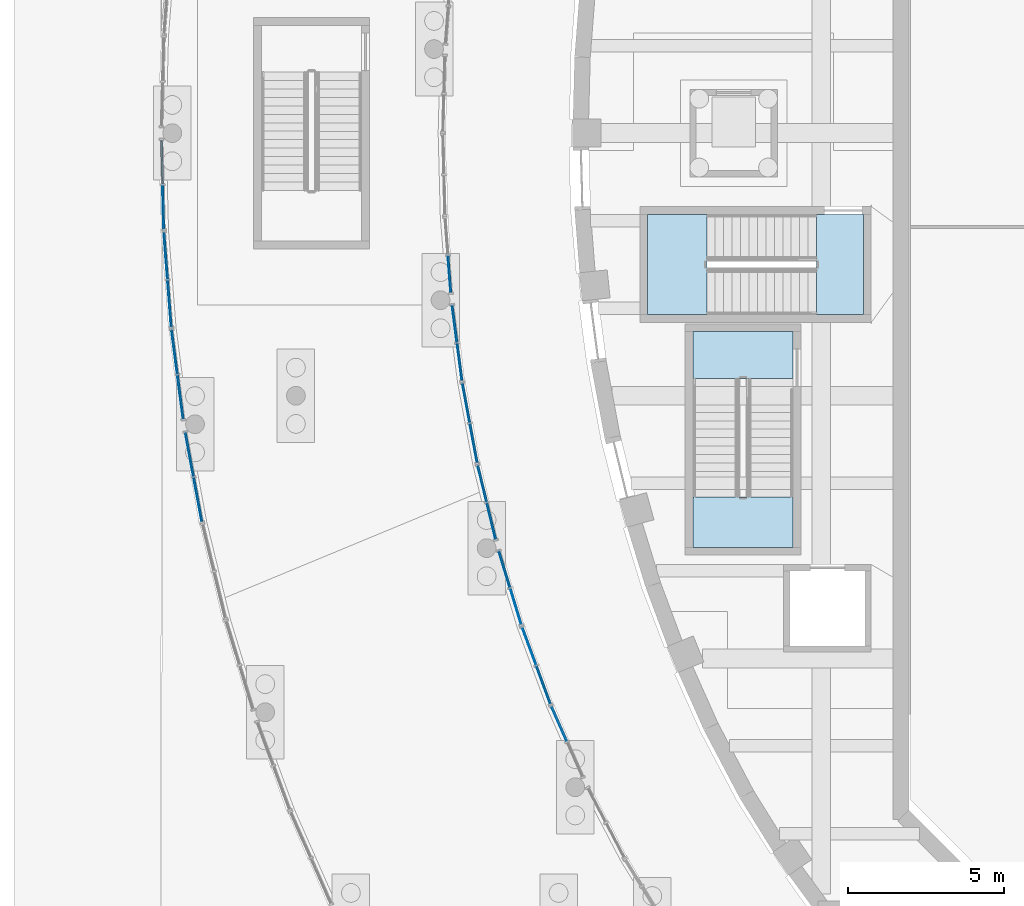
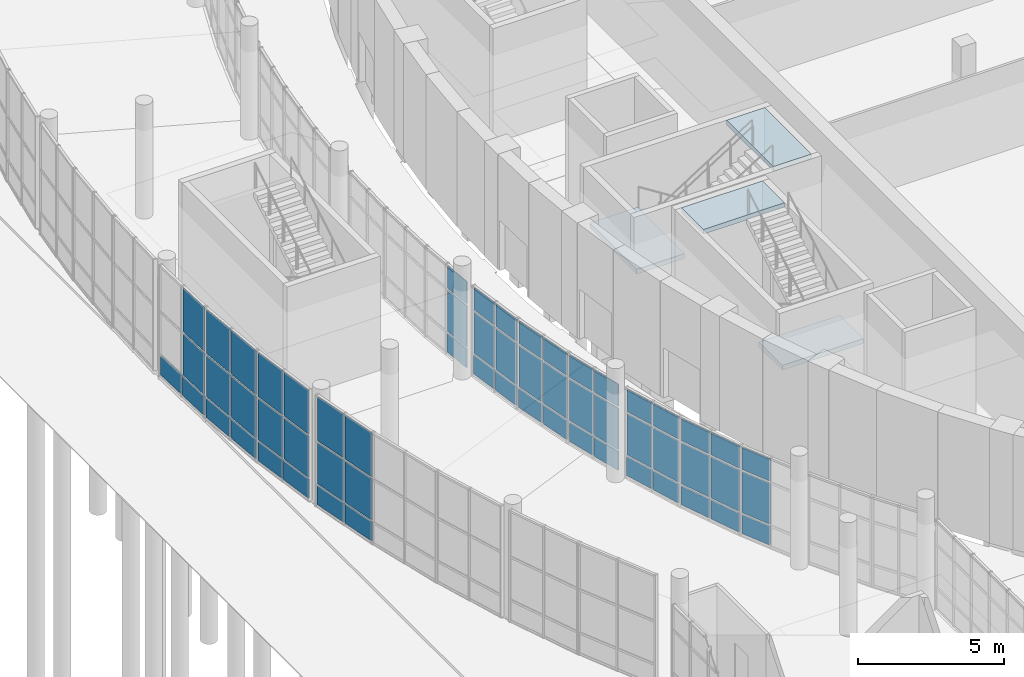
# One storey, part 43 of 110: 58 plates, 4 slabs, 13 elements without a shape of their own.
"""IFC4 building model written with IfcOpenShell, lengths in metres."""

from ifc_helpers import new_model, si_unit, direction, frame, origin, origin_2d, place, context, subcontext, project, spatial, polyline, rectangle, outline, extrude, material, layer, layer_set, type_object, element, aggregate, save


model = new_model("IFC4")

# Units and contexts
model_context = context("Model", 3, precision=1e-05, world=origin(), true_north=direction((0.0, 1.0)))
body_context = subcontext(model_context, "Body", "Model", "MODEL_VIEW")
ifc_project = project(units=[si_unit("LENGTHUNIT", "METRE"), si_unit("AREAUNIT", "SQUARE_METRE"), si_unit("VOLUMEUNIT", "CUBIC_METRE"), si_unit("PLANEANGLEUNIT", "RADIAN"), si_unit("MASSUNIT", "GRAM", prefix="KILO")], contexts=[model_context])

# Site, building, storey
site_placement = place(None, origin())
site = spatial("IfcSite", under=ifc_project, at=site_placement, CompositionType="ELEMENT")
building_placement = place(site_placement, origin())
building = spatial("IfcBuilding", under=site, at=building_placement, Name="Larchfold Concert Hall", CompositionType="ELEMENT")
storey_placement = place(building_placement, origin())
storey = spatial("IfcBuildingStorey", under=building, at=storey_placement, Name="L00", CompositionType="ELEMENT", Elevation=0.0)

# Curtain wall, plates
ifc_material_1 = material(Name="Anodised graphite aluminium curtain wall", Category="aluminium")
ifc_layer_1 = layer(ifc_material_1, 0.14990234375)
ifc_layer_set_1 = layer_set([ifc_layer_1], Name="Anodised graphite aluminium curtain wall")
curtain_wall_type = type_object("IfcCurtainWallType", Name="Curtain wall WG", PredefinedType="NOTDEFINED", material=ifc_layer_set_1)
curtain_wall_1_placement = place(storey_placement, origin())
curtain_wall_1 = element("IfcCurtainWall", 1, at=curtain_wall_1_placement, inside=storey, type_object=curtain_wall_type, Name="Curtain wall CW0063", PredefinedType="NOTDEFINED")
ifc_material_2 = material(Name="Insulated glazing unit, glass", Category="glass")
ifc_layer_2 = layer(ifc_material_2, 0.028076171875)
ifc_layer_set_2 = layer_set([ifc_layer_2], Name="Insulated glazing unit, glass")
plate_type_1 = type_object("IfcPlateType", Name="Glass panel 28", PredefinedType="CURTAIN_PANEL", material=ifc_layer_set_2)
plate_1_placement = place(storey_placement, frame((17.420166015625, 65.706298828125, 0.93994140625), z_axis=(0.0, 0.0, 1.0), x_axis=(-0.40402618995, 0.914747417506, 0.0)))
plate_1 = element("IfcPlate", 2, at=plate_1_placement, type_object=plate_type_1, Name="CW0063 panel 2.2", PredefinedType="CURTAIN_PANEL", context=body_context, shape_type="SweptSolid", body=[
    extrude(rectangle(XDim=1.186767578125, YDim=0.028076171875, at=origin_2d()), origin(), (0.0, 0.0, 1.0), 1.719970703125),
])
plate_2_placement = place(storey_placement, frame((17.420166015625, 65.706298828125, 2.740234375), z_axis=(0.0, 0.0, 1.0), x_axis=(-0.40402618995, 0.914747417506, 0.0)))
plate_2 = element("IfcPlate", 3, at=plate_2_placement, type_object=plate_type_1, Name="CW0063 panel 2.3", PredefinedType="CURTAIN_PANEL", context=body_context, shape_type="SweptSolid", body=[
    extrude(rectangle(XDim=1.186767578125, YDim=0.028076171875, at=origin_2d()), origin(), (0.0, 0.0, 1.0), 0.929931640625),
])

curtain_wall_2_placement = place(storey_placement, origin())
curtain_wall_2 = element("IfcCurtainWall", 4, at=curtain_wall_2_placement, inside=storey, type_object=curtain_wall_type, Name="Curtain wall CW0064", PredefinedType="NOTDEFINED")
plate_3_placement = place(storey_placement, frame((16.9169921875, 66.951171875, 0.93994140625), z_axis=(0.0, 0.0, 1.0), x_axis=(-0.346631119, 0.938001528432, 0.0)))
plate_3 = element("IfcPlate", 5, at=plate_3_placement, type_object=plate_type_1, Name="CW0064 panel 1.2", PredefinedType="CURTAIN_PANEL", context=body_context, shape_type="SweptSolid", body=[
    extrude(rectangle(XDim=1.26025390625, YDim=0.028076171875, at=origin_2d()), origin(), (0.0, 0.0, 1.0), 1.719970703125),
])
plate_4_placement = place(storey_placement, frame((16.9169921875, 66.951171875, 2.740234375), z_axis=(0.0, 0.0, 1.0), x_axis=(-0.346631119, 0.938001528432, 0.0)))
plate_4 = element("IfcPlate", 6, at=plate_4_placement, type_object=plate_type_1, Name="CW0064 panel 1.3", PredefinedType="CURTAIN_PANEL", context=body_context, shape_type="SweptSolid", body=[
    extrude(rectangle(XDim=1.26025390625, YDim=0.028076171875, at=origin_2d()), origin(), (0.0, 0.0, 1.0), 0.929931640625),
])
plate_5_placement = place(storey_placement, frame((16.45947265625, 68.189697265625, 0.93994140625), z_axis=(0.0, 0.0, 1.0), x_axis=(-0.346631119, 0.938001528432, 0.0)))
plate_5 = element("IfcPlate", 7, at=plate_5_placement, type_object=plate_type_1, Name="CW0064 panel 2.2", PredefinedType="CURTAIN_PANEL", context=body_context, shape_type="SweptSolid", body=[
    extrude(rectangle(XDim=1.26025390625, YDim=0.028076171875, at=origin_2d()), origin(), (0.0, 0.0, 1.0), 1.719970703125),
])
plate_6_placement = place(storey_placement, frame((16.45947265625, 68.189697265625, 2.740234375), z_axis=(0.0, 0.0, 1.0), x_axis=(-0.346631119, 0.938001528432, 0.0)))
plate_6 = element("IfcPlate", 8, at=plate_6_placement, type_object=plate_type_1, Name="CW0064 panel 2.3", PredefinedType="CURTAIN_PANEL", context=body_context, shape_type="SweptSolid", body=[
    extrude(rectangle(XDim=1.26025390625, YDim=0.028076171875, at=origin_2d()), origin(), (0.0, 0.0, 1.0), 0.929931640625),
])

curtain_wall_3_placement = place(storey_placement, origin())
curtain_wall_3 = element("IfcCurtainWall", 9, at=curtain_wall_3_placement, inside=storey, type_object=curtain_wall_type, Name="Curtain wall CW0065", PredefinedType="NOTDEFINED")
plate_7_placement = place(storey_placement, frame((16.03076171875, 69.461181640625, 0.93994140625), z_axis=(0.0, 0.0, 1.0), x_axis=(-0.290544233044, 0.956861561902, 0.0)))
plate_7 = element("IfcPlate", 10, at=plate_7_placement, type_object=plate_type_1, Name="CW0065 panel 1.2", PredefinedType="CURTAIN_PANEL", context=body_context, shape_type="SweptSolid", body=[
    extrude(rectangle(XDim=1.184814453125, YDim=0.028076171875, at=origin_2d()), origin(), (0.0, 0.0, 1.0), 1.719970703125),
])
plate_8_placement = place(storey_placement, frame((16.03076171875, 69.461181640625, 2.740234375), z_axis=(0.0, 0.0, 1.0), x_axis=(-0.290544233044, 0.956861561902, 0.0)))
plate_8 = element("IfcPlate", 11, at=plate_8_placement, type_object=plate_type_1, Name="CW0065 panel 1.3", PredefinedType="CURTAIN_PANEL", context=body_context, shape_type="SweptSolid", body=[
    extrude(rectangle(XDim=1.184814453125, YDim=0.028076171875, at=origin_2d()), origin(), (0.0, 0.0, 1.0), 0.929931640625),
])
plate_9_placement = place(storey_placement, frame((15.6689453125, 70.652099609375, 0.93994140625), z_axis=(0.0, 0.0, 1.0), x_axis=(-0.290544233044, 0.956861561902, 0.0)))
plate_9 = element("IfcPlate", 12, at=plate_9_placement, type_object=plate_type_1, Name="CW0065 panel 2.2", PredefinedType="CURTAIN_PANEL", context=body_context, shape_type="SweptSolid", body=[
    extrude(rectangle(XDim=1.184814453125, YDim=0.028076171875, at=origin_2d()), origin(), (0.0, 0.0, 1.0), 1.719970703125),
])
plate_10_placement = place(storey_placement, frame((15.6689453125, 70.652099609375, 2.740234375), z_axis=(0.0, 0.0, 1.0), x_axis=(-0.290544233044, 0.956861561902, 0.0)))
plate_10 = element("IfcPlate", 13, at=plate_10_placement, type_object=plate_type_1, Name="CW0065 panel 2.3", PredefinedType="CURTAIN_PANEL", context=body_context, shape_type="SweptSolid", body=[
    extrude(rectangle(XDim=1.184814453125, YDim=0.028076171875, at=origin_2d()), origin(), (0.0, 0.0, 1.0), 0.929931640625),
])

curtain_wall_4_placement = place(storey_placement, origin())
curtain_wall_4 = element("IfcCurtainWall", 14, at=curtain_wall_4_placement, inside=storey, type_object=curtain_wall_type, Name="Curtain wall CW0066", PredefinedType="NOTDEFINED")
plate_11_placement = place(storey_placement, frame((15.24951171875, 72.18994140625, 0.93994140625), z_axis=(0.0, 0.0, 1.0), x_axis=(-0.235946390347, 0.971766073128, 0.0)))
plate_11 = element("IfcPlate", 15, at=plate_11_placement, type_object=plate_type_1, Name="CW0066 panel 1.2", PredefinedType="CURTAIN_PANEL", context=body_context, shape_type="SweptSolid", body=[
    extrude(rectangle(XDim=1.1708984375, YDim=0.028076171875, at=origin_2d()), origin(), (0.0, 0.0, 1.0), 1.719970703125),
])
plate_12_placement = place(storey_placement, frame((15.24951171875, 72.18994140625, 2.740234375), z_axis=(0.0, 0.0, 1.0), x_axis=(-0.235946390347, 0.971766073128, 0.0)))
plate_12 = element("IfcPlate", 16, at=plate_12_placement, type_object=plate_type_1, Name="CW0066 panel 1.3", PredefinedType="CURTAIN_PANEL", context=body_context, shape_type="SweptSolid", body=[
    extrude(rectangle(XDim=1.1708984375, YDim=0.028076171875, at=origin_2d()), origin(), (0.0, 0.0, 1.0), 0.929931640625),
])
plate_13_placement = place(storey_placement, frame((14.959228515625, 73.385986328125, 0.93994140625), z_axis=(0.0, 0.0, 1.0), x_axis=(-0.235946390347, 0.971766073128, 0.0)))
plate_13 = element("IfcPlate", 17, at=plate_13_placement, type_object=plate_type_1, Name="CW0066 panel 2.2", PredefinedType="CURTAIN_PANEL", context=body_context, shape_type="SweptSolid", body=[
    extrude(rectangle(XDim=1.1708984375, YDim=0.028076171875, at=origin_2d()), origin(), (0.0, 0.0, 1.0), 1.719970703125),
])
plate_14_placement = place(storey_placement, frame((14.959228515625, 73.385986328125, 2.740234375), z_axis=(0.0, 0.0, 1.0), x_axis=(-0.235946390347, 0.971766073128, 0.0)))
plate_14 = element("IfcPlate", 18, at=plate_14_placement, type_object=plate_type_1, Name="CW0066 panel 2.3", PredefinedType="CURTAIN_PANEL", context=body_context, shape_type="SweptSolid", body=[
    extrude(rectangle(XDim=1.1708984375, YDim=0.028076171875, at=origin_2d()), origin(), (0.0, 0.0, 1.0), 0.929931640625),
])

curtain_wall_5_placement = place(storey_placement, origin())
curtain_wall_5 = element("IfcCurtainWall", 19, at=curtain_wall_5_placement, inside=storey, type_object=curtain_wall_type, Name="Curtain wall CW0067", PredefinedType="NOTDEFINED")
plate_15_placement = place(storey_placement, frame((14.682373046875, 74.6845703125, 0.93994140625), z_axis=(0.0, 0.0, 1.0), x_axis=(-0.182390289896, 0.983226211079, 0.0)))
plate_15 = element("IfcPlate", 20, at=plate_15_placement, type_object=plate_type_1, Name="CW0067 panel 1.2", PredefinedType="CURTAIN_PANEL", context=body_context, shape_type="SweptSolid", body=[
    extrude(rectangle(XDim=1.245849609375, YDim=0.028076171875, at=origin_2d()), origin(), (0.0, 0.0, 1.0), 1.719970703125),
])
plate_16_placement = place(storey_placement, frame((14.682373046875, 74.6845703125, 2.740234375), z_axis=(0.0, 0.0, 1.0), x_axis=(-0.182390289896, 0.983226211079, 0.0)))
plate_16 = element("IfcPlate", 21, at=plate_16_placement, type_object=plate_type_1, Name="CW0067 panel 1.3", PredefinedType="CURTAIN_PANEL", context=body_context, shape_type="SweptSolid", body=[
    extrude(rectangle(XDim=1.245849609375, YDim=0.028076171875, at=origin_2d()), origin(), (0.0, 0.0, 1.0), 0.929931640625),
])
plate_17_placement = place(storey_placement, frame((14.444091796875, 75.96875, 0.93994140625), z_axis=(0.0, 0.0, 1.0), x_axis=(-0.182390289896, 0.983226211079, 0.0)))
plate_17 = element("IfcPlate", 22, at=plate_17_placement, type_object=plate_type_1, Name="CW0067 panel 2.2", PredefinedType="CURTAIN_PANEL", context=body_context, shape_type="SweptSolid", body=[
    extrude(rectangle(XDim=1.245849609375, YDim=0.028076171875, at=origin_2d()), origin(), (0.0, 0.0, 1.0), 1.719970703125),
])
plate_18_placement = place(storey_placement, frame((14.444091796875, 75.96875, 2.740234375), z_axis=(0.0, 0.0, 1.0), x_axis=(-0.182390289896, 0.983226211079, 0.0)))
plate_18 = element("IfcPlate", 23, at=plate_18_placement, type_object=plate_type_1, Name="CW0067 panel 2.3", PredefinedType="CURTAIN_PANEL", context=body_context, shape_type="SweptSolid", body=[
    extrude(rectangle(XDim=1.245849609375, YDim=0.028076171875, at=origin_2d()), origin(), (0.0, 0.0, 1.0), 0.929931640625),
])

curtain_wall_6_placement = place(storey_placement, origin())
curtain_wall_6 = element("IfcCurtainWall", 24, at=curtain_wall_6_placement, inside=storey, type_object=curtain_wall_type, Name="Curtain wall CW0068", PredefinedType="NOTDEFINED")
plate_19_placement = place(storey_placement, frame((14.23583984375, 77.2802734375, 0.93994140625), z_axis=(0.0, 0.0, 1.0), x_axis=(-0.129678428289, 0.991556102919, 0.0)))
plate_19 = element("IfcPlate", 25, at=plate_19_placement, type_object=plate_type_1, Name="CW0068 panel 1.2", PredefinedType="CURTAIN_PANEL", context=body_context, shape_type="SweptSolid", body=[
    extrude(rectangle(XDim=1.17138671875, YDim=0.028076171875, at=origin_2d()), origin(), (0.0, 0.0, 1.0), 1.719970703125),
])
plate_20_placement = place(storey_placement, frame((14.23583984375, 77.2802734375, 2.740234375), z_axis=(0.0, 0.0, 1.0), x_axis=(-0.129678428289, 0.991556102919, 0.0)))
plate_20 = element("IfcPlate", 26, at=plate_20_placement, type_object=plate_type_1, Name="CW0068 panel 1.3", PredefinedType="CURTAIN_PANEL", context=body_context, shape_type="SweptSolid", body=[
    extrude(rectangle(XDim=1.17138671875, YDim=0.028076171875, at=origin_2d()), origin(), (0.0, 0.0, 1.0), 0.929931640625),
])
plate_21_placement = place(storey_placement, frame((14.076171875, 78.50146484375, 0.93994140625), z_axis=(0.0, 0.0, 1.0), x_axis=(-0.129678428289, 0.991556102919, 0.0)))
plate_21 = element("IfcPlate", 27, at=plate_21_placement, type_object=plate_type_1, Name="CW0068 panel 2.2", PredefinedType="CURTAIN_PANEL", context=body_context, shape_type="SweptSolid", body=[
    extrude(rectangle(XDim=1.17138671875, YDim=0.028076171875, at=origin_2d()), origin(), (0.0, 0.0, 1.0), 1.719970703125),
])
plate_22_placement = place(storey_placement, frame((14.076171875, 78.50146484375, 2.740234375), z_axis=(0.0, 0.0, 1.0), x_axis=(-0.129678428289, 0.991556102919, 0.0)))
plate_22 = element("IfcPlate", 28, at=plate_22_placement, type_object=plate_type_1, Name="CW0068 panel 2.3", PredefinedType="CURTAIN_PANEL", context=body_context, shape_type="SweptSolid", body=[
    extrude(rectangle(XDim=1.17138671875, YDim=0.028076171875, at=origin_2d()), origin(), (0.0, 0.0, 1.0), 0.929931640625),
])

curtain_wall_7_placement = place(storey_placement, origin())
curtain_wall_7 = element("IfcCurtainWall", 29, at=curtain_wall_7_placement, inside=storey, type_object=curtain_wall_type, Name="Curtain wall CW0069", PredefinedType="NOTDEFINED")
plate_23_placement = place(storey_placement, frame((13.91162109375, 80.085205078125, 0.93994140625), z_axis=(0.0, 0.0, 1.0), x_axis=(-0.077547900972, 0.996988627345, 0.0)))
plate_23 = element("IfcPlate", 30, at=plate_23_placement, type_object=plate_type_1, Name="CW0069 panel 1.2", PredefinedType="CURTAIN_PANEL", context=body_context, shape_type="SweptSolid", body=[
    extrude(rectangle(XDim=1.159912109375, YDim=0.028076171875, at=origin_2d()), origin(), (0.0, 0.0, 1.0), 1.719970703125),
])
plate_24_placement = place(storey_placement, frame((13.91162109375, 80.085205078125, 2.740234375), z_axis=(0.0, 0.0, 1.0), x_axis=(-0.077547900972, 0.996988627345, 0.0)))
plate_24 = element("IfcPlate", 31, at=plate_24_placement, type_object=plate_type_1, Name="CW0069 panel 1.3", PredefinedType="CURTAIN_PANEL", context=body_context, shape_type="SweptSolid", body=[
    extrude(rectangle(XDim=1.159912109375, YDim=0.028076171875, at=origin_2d()), origin(), (0.0, 0.0, 1.0), 0.929931640625),
])

curtain_wall_8_placement = place(storey_placement, origin())
curtain_wall_8 = element("IfcCurtainWall", 32, at=curtain_wall_8_placement, inside=storey, type_object=curtain_wall_type, Name="Curtain wall CW0119", PredefinedType="NOTDEFINED")
plate_25_placement = place(storey_placement, frame((4.7568359375, 82.22900390625, 0.93994140625), z_axis=(0.0, 0.0, 1.0), x_axis=(0.025820733125, -0.999666589289, 0.0)))
plate_25 = element("IfcPlate", 33, at=plate_25_placement, type_object=plate_type_1, Name="CW0119 panel 2.2", PredefinedType="CURTAIN_PANEL", context=body_context, shape_type="SweptSolid", body=[
    extrude(rectangle(XDim=1.3896484375, YDim=0.028076171875, at=origin_2d()), origin(), (0.0, 0.0, 1.0), 1.719970703125),
])
plate_26_placement = place(storey_placement, frame((4.7568359375, 82.22900390625, 2.740234375), z_axis=(0.0, 0.0, 1.0), x_axis=(0.025820733125, -0.999666589289, 0.0)))
plate_26 = element("IfcPlate", 34, at=plate_26_placement, type_object=plate_type_1, Name="CW0119 panel 2.3", PredefinedType="CURTAIN_PANEL", context=body_context, shape_type="SweptSolid", body=[
    extrude(rectangle(XDim=1.3896484375, YDim=0.028076171875, at=origin_2d()), origin(), (0.0, 0.0, 1.0), 1.829833984375),
])

curtain_wall_9_placement = place(storey_placement, origin())
curtain_wall_9 = element("IfcCurtainWall", 35, at=curtain_wall_9_placement, inside=storey, type_object=curtain_wall_type, Name="Curtain wall CW0120", PredefinedType="NOTDEFINED")
plate_27_placement = place(storey_placement, frame((4.838134765625, 80.678466796875, 0.93994140625), z_axis=(0.0, 0.0, 1.0), x_axis=(0.077465260739, -0.996995051833, 0.0)))
plate_27 = element("IfcPlate", 36, at=plate_27_placement, type_object=plate_type_1, Name="CW0120 panel 1.2", PredefinedType="CURTAIN_PANEL", context=body_context, shape_type="SweptSolid", body=[
    extrude(rectangle(XDim=1.476318359375, YDim=0.028076171875, at=origin_2d()), origin(), (0.0, 0.0, 1.0), 1.719970703125),
])
plate_28_placement = place(storey_placement, frame((4.838134765625, 80.678466796875, 2.740234375), z_axis=(0.0, 0.0, 1.0), x_axis=(0.077465260739, -0.996995051833, 0.0)))
plate_28 = element("IfcPlate", 37, at=plate_28_placement, type_object=plate_type_1, Name="CW0120 panel 1.3", PredefinedType="CURTAIN_PANEL", context=body_context, shape_type="SweptSolid", body=[
    extrude(rectangle(XDim=1.476318359375, YDim=0.028076171875, at=origin_2d()), origin(), (0.0, 0.0, 1.0), 1.829833984375),
])
plate_29_placement = place(storey_placement, frame((4.957275390625, 79.14697265625, 0.93994140625), z_axis=(0.0, 0.0, 1.0), x_axis=(0.077465260739, -0.996995051833, 0.0)))
plate_29 = element("IfcPlate", 38, at=plate_29_placement, type_object=plate_type_1, Name="CW0120 panel 2.2", PredefinedType="CURTAIN_PANEL", context=body_context, shape_type="SweptSolid", body=[
    extrude(rectangle(XDim=1.476318359375, YDim=0.028076171875, at=origin_2d()), origin(), (0.0, 0.0, 1.0), 1.719970703125),
])
plate_30_placement = place(storey_placement, frame((4.957275390625, 79.14697265625, 2.740234375), z_axis=(0.0, 0.0, 1.0), x_axis=(0.077465260739, -0.996995051833, 0.0)))
plate_30 = element("IfcPlate", 39, at=plate_30_placement, type_object=plate_type_1, Name="CW0120 panel 2.3", PredefinedType="CURTAIN_PANEL", context=body_context, shape_type="SweptSolid", body=[
    extrude(rectangle(XDim=1.476318359375, YDim=0.028076171875, at=origin_2d()), origin(), (0.0, 0.0, 1.0), 1.829833984375),
])

curtain_wall_10_placement = place(storey_placement, origin())
curtain_wall_10 = element("IfcCurtainWall", 40, at=curtain_wall_10_placement, inside=storey, type_object=curtain_wall_type, Name="Curtain wall CW0121", PredefinedType="NOTDEFINED")
plate_31_placement = place(storey_placement, frame((5.117431640625, 77.599365234375, 0.93994140625), z_axis=(0.0, 0.0, 1.0), x_axis=(0.129764014676, -0.99154490594, 0.0)))
plate_31 = element("IfcPlate", 41, at=plate_31_placement, type_object=plate_type_1, Name="CW0121 panel 1.2", PredefinedType="CURTAIN_PANEL", context=body_context, shape_type="SweptSolid", body=[
    extrude(rectangle(XDim=1.396240234375, YDim=0.028076171875, at=origin_2d()), origin(), (0.0, 0.0, 1.0), 1.719970703125),
])
plate_32_placement = place(storey_placement, frame((5.117431640625, 77.599365234375, 2.740234375), z_axis=(0.0, 0.0, 1.0), x_axis=(0.129764014676, -0.99154490594, 0.0)))
plate_32 = element("IfcPlate", 42, at=plate_32_placement, type_object=plate_type_1, Name="CW0121 panel 1.3", PredefinedType="CURTAIN_PANEL", context=body_context, shape_type="SweptSolid", body=[
    extrude(rectangle(XDim=1.396240234375, YDim=0.028076171875, at=origin_2d()), origin(), (0.0, 0.0, 1.0), 1.829833984375),
])
plate_33_placement = place(storey_placement, frame((5.306396484375, 76.1552734375, 0.93994140625), z_axis=(0.0, 0.0, 1.0), x_axis=(0.129764014676, -0.99154490594, 0.0)))
plate_33 = element("IfcPlate", 43, at=plate_33_placement, type_object=plate_type_1, Name="CW0121 panel 2.2", PredefinedType="CURTAIN_PANEL", context=body_context, shape_type="SweptSolid", body=[
    extrude(rectangle(XDim=1.396240234375, YDim=0.028076171875, at=origin_2d()), origin(), (0.0, 0.0, 1.0), 1.719970703125),
])
plate_34_placement = place(storey_placement, frame((5.306396484375, 76.1552734375, 2.740234375), z_axis=(0.0, 0.0, 1.0), x_axis=(0.129764014676, -0.99154490594, 0.0)))
plate_34 = element("IfcPlate", 44, at=plate_34_placement, type_object=plate_type_1, Name="CW0121 panel 2.3", PredefinedType="CURTAIN_PANEL", context=body_context, shape_type="SweptSolid", body=[
    extrude(rectangle(XDim=1.396240234375, YDim=0.028076171875, at=origin_2d()), origin(), (0.0, 0.0, 1.0), 1.829833984375),
])

curtain_wall_11_placement = place(storey_placement, origin())
curtain_wall_11 = element("IfcCurtainWall", 45, at=curtain_wall_11_placement, inside=storey, type_object=curtain_wall_type, Name="Curtain wall CW0122", PredefinedType="NOTDEFINED")
plate_35_placement = place(storey_placement, frame((5.59619140625, 74.321044921875, 0.93994140625), z_axis=(0.0, 0.0, 1.0), x_axis=(0.182366830535, -0.983230562544, 0.0)))
plate_35 = element("IfcPlate", 46, at=plate_35_placement, type_object=plate_type_1, Name="CW0122 panel 1.2", PredefinedType="CURTAIN_PANEL", context=body_context, shape_type="SweptSolid", body=[
    extrude(rectangle(XDim=1.406005859375, YDim=0.028076171875, at=origin_2d()), origin(), (0.0, 0.0, 1.0), 1.719970703125),
])
plate_36_placement = place(storey_placement, frame((5.59619140625, 74.321044921875, 2.740234375), z_axis=(0.0, 0.0, 1.0), x_axis=(0.182366830535, -0.983230562544, 0.0)))
plate_36 = element("IfcPlate", 47, at=plate_36_placement, type_object=plate_type_1, Name="CW0122 panel 1.3", PredefinedType="CURTAIN_PANEL", context=body_context, shape_type="SweptSolid", body=[
    extrude(rectangle(XDim=1.406005859375, YDim=0.028076171875, at=origin_2d()), origin(), (0.0, 0.0, 1.0), 1.829833984375),
])
plate_37_placement = place(storey_placement, frame((5.863525390625, 72.879638671875, 0.93994140625), z_axis=(0.0, 0.0, 1.0), x_axis=(0.182366830535, -0.983230562544, 0.0)))
plate_37 = element("IfcPlate", 48, at=plate_37_placement, type_object=plate_type_1, Name="CW0122 panel 2.2", PredefinedType="CURTAIN_PANEL", context=body_context, shape_type="SweptSolid", body=[
    extrude(rectangle(XDim=1.406005859375, YDim=0.028076171875, at=origin_2d()), origin(), (0.0, 0.0, 1.0), 1.719970703125),
])
plate_38_placement = place(storey_placement, frame((5.863525390625, 72.879638671875, 2.740234375), z_axis=(0.0, 0.0, 1.0), x_axis=(0.182366830535, -0.983230562544, 0.0)))
plate_38 = element("IfcPlate", 49, at=plate_38_placement, type_object=plate_type_1, Name="CW0122 panel 2.3", PredefinedType="CURTAIN_PANEL", context=body_context, shape_type="SweptSolid", body=[
    extrude(rectangle(XDim=1.406005859375, YDim=0.028076171875, at=origin_2d()), origin(), (0.0, 0.0, 1.0), 1.829833984375),
])

# Plate
ifc_material_3 = material(Name="White insulated panel")
ifc_layer_3 = layer(ifc_material_3, 0.06005859375)
ifc_layer_set_3 = layer_set([ifc_layer_3], Name="White insulated panel")
plate_type_2 = type_object("IfcPlateType", Name="Insulated spandrel panel 60", PredefinedType="CURTAIN_PANEL", material=ifc_layer_set_3)
plate_39_placement = place(storey_placement, frame((17.420166015625, 65.706298828125, 0.080078125), z_axis=(0.0, 0.0, 1.0), x_axis=(-0.40402618995, 0.914747417506, 0.0)))
plate_39 = element("IfcPlate", 50, at=plate_39_placement, type_object=plate_type_2, Name="CW0063 panel 2.1", PredefinedType="CURTAIN_PANEL", context=body_context, shape_type="SweptSolid", body=[
    extrude(rectangle(XDim=1.186767578125, YDim=0.06005859375, at=origin_2d()), origin(), (0.0, 0.0, 1.0), 0.77978515625),
])

aggregate(curtain_wall_1, [plate_39, plate_1, plate_2])

plate_40_placement = place(storey_placement, frame((16.9169921875, 66.951171875, 0.080078125), z_axis=(0.0, 0.0, 1.0), x_axis=(-0.346631119, 0.938001528432, 0.0)))
plate_40 = element("IfcPlate", 51, at=plate_40_placement, type_object=plate_type_2, Name="CW0064 panel 1.1", PredefinedType="CURTAIN_PANEL", context=body_context, shape_type="SweptSolid", body=[
    extrude(rectangle(XDim=1.26025390625, YDim=0.06005859375, at=origin_2d()), origin(), (0.0, 0.0, 1.0), 0.77978515625),
])

plate_41_placement = place(storey_placement, frame((16.45947265625, 68.189697265625, 0.080078125), z_axis=(0.0, 0.0, 1.0), x_axis=(-0.346631119, 0.938001528432, 0.0)))
plate_41 = element("IfcPlate", 52, at=plate_41_placement, type_object=plate_type_2, Name="CW0064 panel 2.1", PredefinedType="CURTAIN_PANEL", context=body_context, shape_type="SweptSolid", body=[
    extrude(rectangle(XDim=1.26025390625, YDim=0.06005859375, at=origin_2d()), origin(), (0.0, 0.0, 1.0), 0.77978515625),
])

aggregate(curtain_wall_2, [plate_40, plate_3, plate_4, plate_41, plate_5, plate_6])

plate_42_placement = place(storey_placement, frame((16.03076171875, 69.461181640625, 0.080078125), z_axis=(0.0, 0.0, 1.0), x_axis=(-0.290544233044, 0.956861561902, 0.0)))
plate_42 = element("IfcPlate", 53, at=plate_42_placement, type_object=plate_type_2, Name="CW0065 panel 1.1", PredefinedType="CURTAIN_PANEL", context=body_context, shape_type="SweptSolid", body=[
    extrude(rectangle(XDim=1.184814453125, YDim=0.06005859375, at=origin_2d()), origin(), (0.0, 0.0, 1.0), 0.77978515625),
])

plate_43_placement = place(storey_placement, frame((15.6689453125, 70.652099609375, 0.080078125), z_axis=(0.0, 0.0, 1.0), x_axis=(-0.290544233044, 0.956861561902, 0.0)))
plate_43 = element("IfcPlate", 54, at=plate_43_placement, type_object=plate_type_2, Name="CW0065 panel 2.1", PredefinedType="CURTAIN_PANEL", context=body_context, shape_type="SweptSolid", body=[
    extrude(rectangle(XDim=1.184814453125, YDim=0.06005859375, at=origin_2d()), origin(), (0.0, 0.0, 1.0), 0.77978515625),
])

aggregate(curtain_wall_3, [plate_42, plate_7, plate_8, plate_43, plate_9, plate_10])

plate_44_placement = place(storey_placement, frame((15.24951171875, 72.18994140625, 0.080078125), z_axis=(0.0, 0.0, 1.0), x_axis=(-0.235946390347, 0.971766073128, 0.0)))
plate_44 = element("IfcPlate", 55, at=plate_44_placement, type_object=plate_type_2, Name="CW0066 panel 1.1", PredefinedType="CURTAIN_PANEL", context=body_context, shape_type="SweptSolid", body=[
    extrude(rectangle(XDim=1.1708984375, YDim=0.06005859375, at=origin_2d()), origin(), (0.0, 0.0, 1.0), 0.77978515625),
])

plate_45_placement = place(storey_placement, frame((14.959228515625, 73.385986328125, 0.080078125), z_axis=(0.0, 0.0, 1.0), x_axis=(-0.235946390347, 0.971766073128, 0.0)))
plate_45 = element("IfcPlate", 56, at=plate_45_placement, type_object=plate_type_2, Name="CW0066 panel 2.1", PredefinedType="CURTAIN_PANEL", context=body_context, shape_type="SweptSolid", body=[
    extrude(rectangle(XDim=1.1708984375, YDim=0.06005859375, at=origin_2d()), origin(), (0.0, 0.0, 1.0), 0.77978515625),
])

aggregate(curtain_wall_4, [plate_44, plate_11, plate_12, plate_45, plate_13, plate_14])

plate_46_placement = place(storey_placement, frame((14.682373046875, 74.6845703125, 0.080078125), z_axis=(0.0, 0.0, 1.0), x_axis=(-0.182390289896, 0.983226211079, 0.0)))
plate_46 = element("IfcPlate", 57, at=plate_46_placement, type_object=plate_type_2, Name="CW0067 panel 1.1", PredefinedType="CURTAIN_PANEL", context=body_context, shape_type="SweptSolid", body=[
    extrude(rectangle(XDim=1.245849609375, YDim=0.06005859375, at=origin_2d()), origin(), (0.0, 0.0, 1.0), 0.77978515625),
])

plate_47_placement = place(storey_placement, frame((14.444091796875, 75.96875, 0.080078125), z_axis=(0.0, 0.0, 1.0), x_axis=(-0.182390289896, 0.983226211079, 0.0)))
plate_47 = element("IfcPlate", 58, at=plate_47_placement, type_object=plate_type_2, Name="CW0067 panel 2.1", PredefinedType="CURTAIN_PANEL", context=body_context, shape_type="SweptSolid", body=[
    extrude(rectangle(XDim=1.245849609375, YDim=0.06005859375, at=origin_2d()), origin(), (0.0, 0.0, 1.0), 0.77978515625),
])

aggregate(curtain_wall_5, [plate_46, plate_15, plate_16, plate_47, plate_17, plate_18])

plate_48_placement = place(storey_placement, frame((14.23583984375, 77.2802734375, 0.080078125), z_axis=(0.0, 0.0, 1.0), x_axis=(-0.129678428289, 0.991556102919, 0.0)))
plate_48 = element("IfcPlate", 59, at=plate_48_placement, type_object=plate_type_2, Name="CW0068 panel 1.1", PredefinedType="CURTAIN_PANEL", context=body_context, shape_type="SweptSolid", body=[
    extrude(rectangle(XDim=1.17138671875, YDim=0.06005859375, at=origin_2d()), origin(), (0.0, 0.0, 1.0), 0.77978515625),
])

plate_49_placement = place(storey_placement, frame((14.076171875, 78.50146484375, 0.080078125), z_axis=(0.0, 0.0, 1.0), x_axis=(-0.129678428289, 0.991556102919, 0.0)))
plate_49 = element("IfcPlate", 60, at=plate_49_placement, type_object=plate_type_2, Name="CW0068 panel 2.1", PredefinedType="CURTAIN_PANEL", context=body_context, shape_type="SweptSolid", body=[
    extrude(rectangle(XDim=1.17138671875, YDim=0.06005859375, at=origin_2d()), origin(), (0.0, 0.0, 1.0), 0.77978515625),
])

aggregate(curtain_wall_6, [plate_48, plate_19, plate_20, plate_49, plate_21, plate_22])

plate_50_placement = place(storey_placement, frame((13.91162109375, 80.085205078125, 0.080078125), z_axis=(0.0, 0.0, 1.0), x_axis=(-0.077547900972, 0.996988627345, 0.0)))
plate_50 = element("IfcPlate", 61, at=plate_50_placement, type_object=plate_type_2, Name="CW0069 panel 1.1", PredefinedType="CURTAIN_PANEL", context=body_context, shape_type="SweptSolid", body=[
    extrude(rectangle(XDim=1.159912109375, YDim=0.06005859375, at=origin_2d()), origin(), (0.0, 0.0, 1.0), 0.77978515625),
])

aggregate(curtain_wall_7, [plate_50, plate_23, plate_24])

plate_51_placement = place(storey_placement, frame((4.719482421875, 83.67822265625, 0.080078125), z_axis=(0.0, 0.0, 1.0), x_axis=(0.025820733125, -0.999666589289, 0.0)))
plate_51 = element("IfcPlate", 62, at=plate_51_placement, type_object=plate_type_2, Name="CW0119 panel 1.1", PredefinedType="CURTAIN_PANEL", context=body_context, shape_type="SweptSolid", body=[
    extrude(rectangle(XDim=1.3896484375, YDim=0.06005859375, at=origin_2d()), origin(), (0.0, 0.0, 1.0), 0.77978515625),
])

plate_52_placement = place(storey_placement, frame((4.7568359375, 82.22900390625, 0.080078125), z_axis=(0.0, 0.0, 1.0), x_axis=(0.025820733125, -0.999666589289, 0.0)))
plate_52 = element("IfcPlate", 63, at=plate_52_placement, type_object=plate_type_2, Name="CW0119 panel 2.1", PredefinedType="CURTAIN_PANEL", context=body_context, shape_type="SweptSolid", body=[
    extrude(rectangle(XDim=1.3896484375, YDim=0.06005859375, at=origin_2d()), origin(), (0.0, 0.0, 1.0), 0.77978515625),
])

aggregate(curtain_wall_8, [plate_51, plate_52, plate_25, plate_26])

plate_53_placement = place(storey_placement, frame((4.838134765625, 80.678466796875, 0.080078125), z_axis=(0.0, 0.0, 1.0), x_axis=(0.077465260739, -0.996995051833, 0.0)))
plate_53 = element("IfcPlate", 64, at=plate_53_placement, type_object=plate_type_2, Name="CW0120 panel 1.1", PredefinedType="CURTAIN_PANEL", context=body_context, shape_type="SweptSolid", body=[
    extrude(rectangle(XDim=1.476318359375, YDim=0.06005859375, at=origin_2d()), origin(), (0.0, 0.0, 1.0), 0.77978515625),
])

plate_54_placement = place(storey_placement, frame((4.957275390625, 79.14697265625, 0.080078125), z_axis=(0.0, 0.0, 1.0), x_axis=(0.077465260739, -0.996995051833, 0.0)))
plate_54 = element("IfcPlate", 65, at=plate_54_placement, type_object=plate_type_2, Name="CW0120 panel 2.1", PredefinedType="CURTAIN_PANEL", context=body_context, shape_type="SweptSolid", body=[
    extrude(rectangle(XDim=1.476318359375, YDim=0.06005859375, at=origin_2d()), origin(), (0.0, 0.0, 1.0), 0.77978515625),
])

aggregate(curtain_wall_9, [plate_53, plate_27, plate_28, plate_54, plate_29, plate_30])

plate_55_placement = place(storey_placement, frame((5.117431640625, 77.599365234375, 0.080078125), z_axis=(0.0, 0.0, 1.0), x_axis=(0.129764014676, -0.99154490594, 0.0)))
plate_55 = element("IfcPlate", 66, at=plate_55_placement, type_object=plate_type_2, Name="CW0121 panel 1.1", PredefinedType="CURTAIN_PANEL", context=body_context, shape_type="SweptSolid", body=[
    extrude(rectangle(XDim=1.396240234375, YDim=0.06005859375, at=origin_2d()), origin(), (0.0, 0.0, 1.0), 0.77978515625),
])

plate_56_placement = place(storey_placement, frame((5.306396484375, 76.1552734375, 0.080078125), z_axis=(0.0, 0.0, 1.0), x_axis=(0.129764014676, -0.99154490594, 0.0)))
plate_56 = element("IfcPlate", 67, at=plate_56_placement, type_object=plate_type_2, Name="CW0121 panel 2.1", PredefinedType="CURTAIN_PANEL", context=body_context, shape_type="SweptSolid", body=[
    extrude(rectangle(XDim=1.396240234375, YDim=0.06005859375, at=origin_2d()), origin(), (0.0, 0.0, 1.0), 0.77978515625),
])

aggregate(curtain_wall_10, [plate_55, plate_31, plate_32, plate_56, plate_33, plate_34])

plate_57_placement = place(storey_placement, frame((5.59619140625, 74.321044921875, 0.080078125), z_axis=(0.0, 0.0, 1.0), x_axis=(0.182366830535, -0.983230562544, 0.0)))
plate_57 = element("IfcPlate", 68, at=plate_57_placement, type_object=plate_type_2, Name="CW0122 panel 1.1", PredefinedType="CURTAIN_PANEL", context=body_context, shape_type="SweptSolid", body=[
    extrude(rectangle(XDim=1.406005859375, YDim=0.06005859375, at=origin_2d()), origin(), (0.0, 0.0, 1.0), 0.77978515625),
])

plate_58_placement = place(storey_placement, frame((5.863525390625, 72.879638671875, 0.080078125), z_axis=(0.0, 0.0, 1.0), x_axis=(0.182366830535, -0.983230562544, 0.0)))
plate_58 = element("IfcPlate", 69, at=plate_58_placement, type_object=plate_type_2, Name="CW0122 panel 2.1", PredefinedType="CURTAIN_PANEL", context=body_context, shape_type="SweptSolid", body=[
    extrude(rectangle(XDim=1.406005859375, YDim=0.06005859375, at=origin_2d()), origin(), (0.0, 0.0, 1.0), 0.77978515625),
])

aggregate(curtain_wall_11, [plate_57, plate_35, plate_36, plate_58, plate_37, plate_38])

# Stair, slabs
ifc_material_4 = material(Name="Concrete C35/45", Category="concrete")
stair_type = type_object("IfcStairType", Name="Stair RC half-turn enclosed", PredefinedType="HALF_TURN_STAIR", material=ifc_material_4)
stair_1_placement = place(storey_placement, origin())
stair_1 = element("IfcStair", 70, at=stair_1_placement, inside=storey, type_object=stair_type, Name="Stair DS5", PredefinedType="HALF_TURN_STAIR")
ifc_material_5 = material(Name="Concrete C35/45", Category="concrete")
ifc_layer_4 = layer(ifc_material_5, 0.199951171875)
ifc_layer_set_4 = layer_set([ifc_layer_4], Name="Concrete C35/45")
slab_type = type_object("IfcSlabType", Name="Stair landing RC 200", PredefinedType="LANDING", material=ifc_layer_set_4)
slab_1_placement = place(storey_placement, frame((0.0, 0.0, 2.199951171875)))
slab_1 = element("IfcSlab", 71, at=slab_1_placement, type_object=slab_type, Name="ST05 landing 1", PredefinedType="LANDING", context=body_context, shape_type="SweptSolid", body=[
    extrude(outline(polyline([(21.699951171875, 72.969970703125), (21.699951171875, 71.35009765625), (24.89990234375, 71.35009765625), (24.89990234375, 72.969970703125), (21.699951171875, 72.969970703125)])), origin(), (0.0, 0.0, 1.0), 0.199951171875),
])
slab_2_placement = place(storey_placement, frame((0.0, 0.0, 4.60009765625)))
slab_2 = element("IfcSlab", 72, at=slab_2_placement, type_object=slab_type, Name="ST05 landing 2", PredefinedType="LANDING", context=body_context, shape_type="SweptSolid", body=[
    extrude(outline(polyline([(21.699951171875, 78.25), (21.699951171875, 76.75), (24.89990234375, 76.75), (24.89990234375, 78.25), (21.699951171875, 78.25)])), origin(), (0.0, 0.0, 1.0), 0.199951171875),
])
aggregate(stair_1, [slab_1, slab_2])

stair_2_placement = place(storey_placement, origin())
stair_2 = element("IfcStair", 73, at=stair_2_placement, inside=storey, type_object=stair_type, Name="Stair DS7", PredefinedType="HALF_TURN_STAIR")
slab_3_placement = place(storey_placement, frame((0.0, 0.0, 2.199951171875)))
slab_3 = element("IfcSlab", 74, at=slab_3_placement, type_object=slab_type, Name="ST07 landing 1", PredefinedType="LANDING", context=body_context, shape_type="SweptSolid", body=[
    extrude(outline(polyline([(22.139892578125, 82.0), (20.25, 82.0), (20.25, 78.800048828125), (22.139892578125, 78.800048828125), (22.139892578125, 82.0)])), origin(), (0.0, 0.0, 1.0), 0.199951171875),
])
slab_4_placement = place(storey_placement, frame((0.0, 0.0, 4.60009765625)))
slab_4 = element("IfcSlab", 75, at=slab_4_placement, type_object=slab_type, Name="ST07 landing 2", PredefinedType="LANDING", context=body_context, shape_type="SweptSolid", body=[
    extrude(outline(polyline([(27.14990234375, 82.0), (25.64990234375, 82.0), (25.64990234375, 78.800048828125), (27.14990234375, 78.800048828125), (27.14990234375, 82.0)])), origin(), (0.0, 0.0, 1.0), 0.199951171875),
])
aggregate(stair_2, [slab_3, slab_4])

save(model, "model.ifc")
